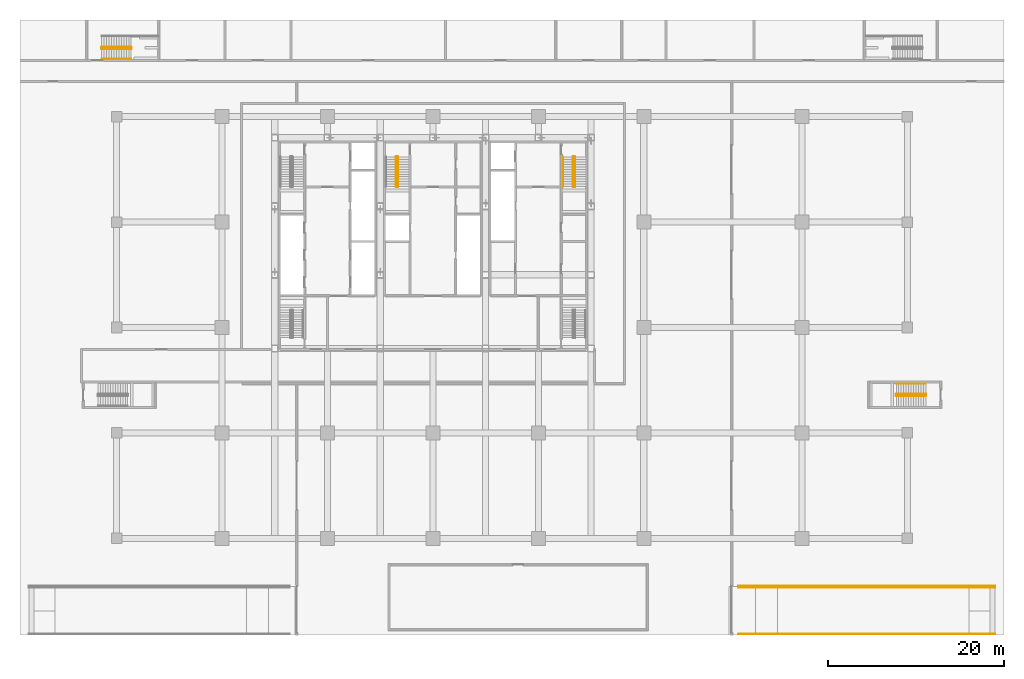
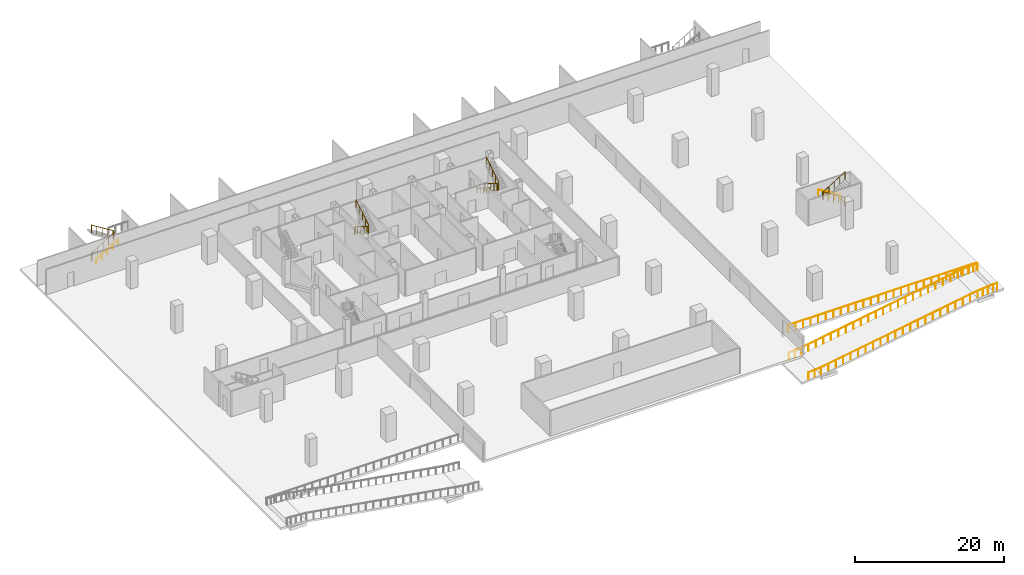
# One storey, part 14 of 15: 10 railings.
"""IFC4 building model written with IfcOpenShell, lengths in metres."""

from ifc_helpers import new_model, si_unit, direction, frame, origin, origin_2d, place, context, subcontext, project, spatial, circle, extrude, material, type_object, element, save


model = new_model("IFC4")

# Units and contexts
model_context = context("Model", 3, precision=1e-05, world=origin(), true_north=direction((0.0, 1.0)))
body_context = subcontext(model_context, "Body", "Model", "MODEL_VIEW")
ifc_project = project(units=[si_unit("LENGTHUNIT", "METRE"), si_unit("AREAUNIT", "SQUARE_METRE"), si_unit("VOLUMEUNIT", "CUBIC_METRE"), si_unit("PLANEANGLEUNIT", "RADIAN"), si_unit("MASSUNIT", "GRAM", prefix="KILO")], contexts=[model_context])

# Site, building, storey
site_placement = place(None, origin())
site = spatial("IfcSite", under=ifc_project, at=site_placement, CompositionType="ELEMENT")
building_placement = place(site_placement, origin())
building = spatial("IfcBuilding", under=site, at=building_placement, Name="Sorahane Residences", CompositionType="ELEMENT")
storey_placement = place(building_placement, frame((0.0, 0.0, -4.5)))
storey = spatial("IfcBuildingStorey", under=building, at=storey_placement, Name="B1", CompositionType="ELEMENT", Elevation=-4.5)

# Railings
ifc_material_1 = material(Name="Steel Q355B", Category="steel")
railing_type_1 = type_object("IfcRailingType", Name="Ramp opening guard 1200 Steel Q355B", PredefinedType="GUARDRAIL", material=ifc_material_1)
railing_1_placement = place(storey_placement, frame((88.0, -10.89990234375, 0.0)))
element("IfcRailing", 1, at=railing_1_placement, inside=storey, type_object=railing_type_1, Name="B1 ramp flight guard south", PredefinedType="GUARDRAIL", context=body_context, shape_type="SweptSolid", body=[
    extrude(circle(Radius=0.02392578125, at=origin_2d()), frame((0.0, 0.0, 1.17578125), z_axis=(-1.0, 0.0, 0.0), x_axis=(0.0, -1.0, 0.0)), (0.0, 0.0, 1.0), 0.60009765625),
    extrude(circle(Radius=0.02392578125, at=origin_2d()), frame((-0.60009765625, 0.0, 1.17578125), z_axis=(-0.996547156423, 0.0, -0.083028700011), x_axis=(0.0, -1.0, 0.0)), (0.0, 0.0, 1.0), 2.408203125),
    extrude(circle(Radius=0.02392578125, at=origin_2d()), frame((-3.0, 0.0, 0.97607421875), z_axis=(-0.986393655987, 0.0, -0.164400594367), x_axis=(0.0, -1.0, 0.0)), (0.0, 0.0, 1.0), 24.63525390625),
    extrude(circle(Radius=0.02392578125, at=origin_2d()), frame((-27.300048828125, 0.0, -3.07421875), z_axis=(-0.996551055188, 0.0, -0.082981892028), x_axis=(0.0, -1.0, 0.0)), (0.0, 0.0, 1.0), 1.906494140625),
    extrude(circle(Radius=0.02099609375, at=origin_2d()), origin(), (0.0, 0.0, 1.0), 1.15185546875),
    extrude(circle(Radius=0.02099609375, at=origin_2d()), frame((-0.60009765625, 0.0, 0.0)), (0.0, 0.0, 1.0), 1.15185546875),
    extrude(circle(Radius=0.02099609375, at=origin_2d()), frame((-1.400146484375, 0.0, -0.066650390625)), (0.0, 0.0, 1.0), 1.15185546875),
    extrude(circle(Radius=0.02099609375, at=origin_2d()), frame((-2.199951171875, 0.0, -0.13330078125)), (0.0, 0.0, 1.0), 1.15185546875),
    extrude(circle(Radius=0.02099609375, at=origin_2d()), frame((-3.0, 0.0, -0.199951171875)), (0.0, 0.0, 1.0), 1.15185546875),
    extrude(circle(Radius=0.02099609375, at=origin_2d()), frame((-4.1572265625, 0.0, -0.392822265625)), (0.0, 0.0, 1.0), 1.15185546875),
    extrude(circle(Radius=0.02099609375, at=origin_2d()), frame((-5.314208984375, 0.0, -0.585693359375)), (0.0, 0.0, 1.0), 1.15185546875),
    extrude(circle(Radius=0.02099609375, at=origin_2d()), frame((-6.471435546875, 0.0, -0.778564453125)), (0.0, 0.0, 1.0), 1.15185546875),
    extrude(circle(Radius=0.02099609375, at=origin_2d()), frame((-7.628662109375, 0.0, -0.971435546875)), (0.0, 0.0, 1.0), 1.15185546875),
    extrude(circle(Radius=0.02099609375, at=origin_2d()), frame((-8.78564453125, 0.0, -1.164306640625)), (0.0, 0.0, 1.0), 1.15185546875),
    extrude(circle(Radius=0.02099609375, at=origin_2d()), frame((-9.94287109375, 0.0, -1.357177734375)), (0.0, 0.0, 1.0), 1.15185546875),
    extrude(circle(Radius=0.02099609375, at=origin_2d()), frame((-11.10009765625, 0.0, -1.550048828125)), (0.0, 0.0, 1.0), 1.15185546875),
    extrude(circle(Radius=0.02099609375, at=origin_2d()), frame((-12.257080078125, 0.0, -1.742919921875)), (0.0, 0.0, 1.0), 1.15185546875),
    extrude(circle(Radius=0.02099609375, at=origin_2d()), frame((-13.414306640625, 0.0, -1.935791015625)), (0.0, 0.0, 1.0), 1.15185546875),
    extrude(circle(Radius=0.02099609375, at=origin_2d()), frame((-14.571533203125, 0.0, -2.128662109375)), (0.0, 0.0, 1.0), 1.15185546875),
    extrude(circle(Radius=0.02099609375, at=origin_2d()), frame((-15.728515625, 0.0, -2.3212890625)), (0.0, 0.0, 1.0), 1.15185546875),
    extrude(circle(Radius=0.02099609375, at=origin_2d()), frame((-16.8857421875, 0.0, -2.51416015625)), (0.0, 0.0, 1.0), 1.15185546875),
    extrude(circle(Radius=0.02099609375, at=origin_2d()), frame((-18.04296875, 0.0, -2.70703125)), (0.0, 0.0, 1.0), 1.15185546875),
    extrude(circle(Radius=0.02099609375, at=origin_2d()), frame((-19.199951171875, 0.0, -2.89990234375)), (0.0, 0.0, 1.0), 1.15185546875),
    extrude(circle(Radius=0.02099609375, at=origin_2d()), frame((-20.357177734375, 0.0, -3.0927734375)), (0.0, 0.0, 1.0), 1.15185546875),
    extrude(circle(Radius=0.02099609375, at=origin_2d()), frame((-21.514404296875, 0.0, -3.28564453125)), (0.0, 0.0, 1.0), 1.15185546875),
    extrude(circle(Radius=0.02099609375, at=origin_2d()), frame((-22.67138671875, 0.0, -3.478515625)), (0.0, 0.0, 1.0), 1.15185546875),
    extrude(circle(Radius=0.02099609375, at=origin_2d()), frame((-23.82861328125, 0.0, -3.67138671875)), (0.0, 0.0, 1.0), 1.15185546875),
    extrude(circle(Radius=0.02099609375, at=origin_2d()), frame((-24.98583984375, 0.0, -3.8642578125)), (0.0, 0.0, 1.0), 1.15185546875),
    extrude(circle(Radius=0.02099609375, at=origin_2d()), frame((-26.142822265625, 0.0, -4.05712890625)), (0.0, 0.0, 1.0), 1.15185546875),
    extrude(circle(Radius=0.02099609375, at=origin_2d()), frame((-27.300048828125, 0.0, -4.25)), (0.0, 0.0, 1.0), 1.15185546875),
    extrude(circle(Radius=0.02099609375, at=origin_2d()), frame((-28.25, 0.0, -4.3291015625)), (0.0, 0.0, 1.0), 1.15185546875),
    extrude(circle(Radius=0.02099609375, at=origin_2d()), frame((-29.199951171875, 0.0, -4.408203125)), (0.0, 0.0, 1.0), 1.15185546875),
])
railing_2_placement = place(storey_placement, frame((88.0, -5.60009765625, 0.0)))
element("IfcRailing", 2, at=railing_2_placement, inside=storey, type_object=railing_type_1, Name="B1 ramp flight guard north", PredefinedType="GUARDRAIL", context=body_context, shape_type="SweptSolid", body=[
    extrude(circle(Radius=0.02392578125, at=origin_2d()), frame((0.0, 0.0, 1.17578125), z_axis=(-1.0, 0.0, 0.0), x_axis=(0.0, -1.0, 0.0)), (0.0, 0.0, 1.0), 0.60009765625),
    extrude(circle(Radius=0.02392578125, at=origin_2d()), frame((-0.60009765625, 0.0, 1.17578125), z_axis=(-0.996547156423, 0.0, -0.083028700011), x_axis=(0.0, -1.0, 0.0)), (0.0, 0.0, 1.0), 2.408203125),
    extrude(circle(Radius=0.02392578125, at=origin_2d()), frame((-3.0, 0.0, 0.97607421875), z_axis=(-0.986393655987, 0.0, -0.164400594367), x_axis=(0.0, -1.0, 0.0)), (0.0, 0.0, 1.0), 24.63525390625),
    extrude(circle(Radius=0.02392578125, at=origin_2d()), frame((-27.300048828125, 0.0, -3.07421875), z_axis=(-0.996551055188, 0.0, -0.082981892028), x_axis=(0.0, -1.0, 0.0)), (0.0, 0.0, 1.0), 1.906494140625),
    extrude(circle(Radius=0.02099609375, at=origin_2d()), origin(), (0.0, 0.0, 1.0), 1.15185546875),
    extrude(circle(Radius=0.02099609375, at=origin_2d()), frame((-0.60009765625, 0.0, 0.0)), (0.0, 0.0, 1.0), 1.15185546875),
    extrude(circle(Radius=0.02099609375, at=origin_2d()), frame((-1.400146484375, 0.0, -0.066650390625)), (0.0, 0.0, 1.0), 1.15185546875),
    extrude(circle(Radius=0.02099609375, at=origin_2d()), frame((-2.199951171875, 0.0, -0.13330078125)), (0.0, 0.0, 1.0), 1.15185546875),
    extrude(circle(Radius=0.02099609375, at=origin_2d()), frame((-3.0, 0.0, -0.199951171875)), (0.0, 0.0, 1.0), 1.15185546875),
    extrude(circle(Radius=0.02099609375, at=origin_2d()), frame((-4.1572265625, 0.0, -0.392822265625)), (0.0, 0.0, 1.0), 1.15185546875),
    extrude(circle(Radius=0.02099609375, at=origin_2d()), frame((-5.314208984375, 0.0, -0.585693359375)), (0.0, 0.0, 1.0), 1.15185546875),
    extrude(circle(Radius=0.02099609375, at=origin_2d()), frame((-6.471435546875, 0.0, -0.778564453125)), (0.0, 0.0, 1.0), 1.15185546875),
    extrude(circle(Radius=0.02099609375, at=origin_2d()), frame((-7.628662109375, 0.0, -0.971435546875)), (0.0, 0.0, 1.0), 1.15185546875),
    extrude(circle(Radius=0.02099609375, at=origin_2d()), frame((-8.78564453125, 0.0, -1.164306640625)), (0.0, 0.0, 1.0), 1.15185546875),
    extrude(circle(Radius=0.02099609375, at=origin_2d()), frame((-9.94287109375, 0.0, -1.357177734375)), (0.0, 0.0, 1.0), 1.15185546875),
    extrude(circle(Radius=0.02099609375, at=origin_2d()), frame((-11.10009765625, 0.0, -1.550048828125)), (0.0, 0.0, 1.0), 1.15185546875),
    extrude(circle(Radius=0.02099609375, at=origin_2d()), frame((-12.257080078125, 0.0, -1.742919921875)), (0.0, 0.0, 1.0), 1.15185546875),
    extrude(circle(Radius=0.02099609375, at=origin_2d()), frame((-13.414306640625, 0.0, -1.935791015625)), (0.0, 0.0, 1.0), 1.15185546875),
    extrude(circle(Radius=0.02099609375, at=origin_2d()), frame((-14.571533203125, 0.0, -2.128662109375)), (0.0, 0.0, 1.0), 1.15185546875),
    extrude(circle(Radius=0.02099609375, at=origin_2d()), frame((-15.728515625, 0.0, -2.3212890625)), (0.0, 0.0, 1.0), 1.15185546875),
    extrude(circle(Radius=0.02099609375, at=origin_2d()), frame((-16.8857421875, 0.0, -2.51416015625)), (0.0, 0.0, 1.0), 1.15185546875),
    extrude(circle(Radius=0.02099609375, at=origin_2d()), frame((-18.04296875, 0.0, -2.70703125)), (0.0, 0.0, 1.0), 1.15185546875),
    extrude(circle(Radius=0.02099609375, at=origin_2d()), frame((-19.199951171875, 0.0, -2.89990234375)), (0.0, 0.0, 1.0), 1.15185546875),
    extrude(circle(Radius=0.02099609375, at=origin_2d()), frame((-20.357177734375, 0.0, -3.0927734375)), (0.0, 0.0, 1.0), 1.15185546875),
    extrude(circle(Radius=0.02099609375, at=origin_2d()), frame((-21.514404296875, 0.0, -3.28564453125)), (0.0, 0.0, 1.0), 1.15185546875),
    extrude(circle(Radius=0.02099609375, at=origin_2d()), frame((-22.67138671875, 0.0, -3.478515625)), (0.0, 0.0, 1.0), 1.15185546875),
    extrude(circle(Radius=0.02099609375, at=origin_2d()), frame((-23.82861328125, 0.0, -3.67138671875)), (0.0, 0.0, 1.0), 1.15185546875),
    extrude(circle(Radius=0.02099609375, at=origin_2d()), frame((-24.98583984375, 0.0, -3.8642578125)), (0.0, 0.0, 1.0), 1.15185546875),
    extrude(circle(Radius=0.02099609375, at=origin_2d()), frame((-26.142822265625, 0.0, -4.05712890625)), (0.0, 0.0, 1.0), 1.15185546875),
    extrude(circle(Radius=0.02099609375, at=origin_2d()), frame((-27.300048828125, 0.0, -4.25)), (0.0, 0.0, 1.0), 1.15185546875),
    extrude(circle(Radius=0.02099609375, at=origin_2d()), frame((-28.25, 0.0, -4.3291015625)), (0.0, 0.0, 1.0), 1.15185546875),
    extrude(circle(Radius=0.02099609375, at=origin_2d()), frame((-29.199951171875, 0.0, -4.408203125)), (0.0, 0.0, 1.0), 1.15185546875),
])
railing_3_placement = place(storey_placement, frame((58.800048828125, -5.39990234375, 0.0)))
element("IfcRailing", 3, at=railing_3_placement, inside=storey, type_object=railing_type_1, Name="B1 ramp opening guard", PredefinedType="GUARDRAIL", context=body_context, shape_type="SweptSolid", body=[
    extrude(circle(Radius=0.02392578125, at=origin_2d()), frame((0.0, 0.0, 1.17578125), z_axis=(1.0, 0.0, 0.0), x_axis=(0.0, 1.0, 0.0)), (0.0, 0.0, 1.0), 29.199951171875),
    extrude(circle(Radius=0.02099609375, at=origin_2d()), origin(), (0.0, 0.0, 1.0), 1.15185546875),
    extrude(circle(Radius=0.02099609375, at=origin_2d()), frame((1.16796875, 0.0, 0.0)), (0.0, 0.0, 1.0), 1.15185546875),
    extrude(circle(Radius=0.02099609375, at=origin_2d()), frame((2.3359375, 0.0, 0.0)), (0.0, 0.0, 1.0), 1.15185546875),
    extrude(circle(Radius=0.02099609375, at=origin_2d()), frame((3.50390625, 0.0, 0.0)), (0.0, 0.0, 1.0), 1.15185546875),
    extrude(circle(Radius=0.02099609375, at=origin_2d()), frame((4.671875, 0.0, 0.0)), (0.0, 0.0, 1.0), 1.15185546875),
    extrude(circle(Radius=0.02099609375, at=origin_2d()), frame((5.840087890625, 0.0, 0.0)), (0.0, 0.0, 1.0), 1.15185546875),
    extrude(circle(Radius=0.02099609375, at=origin_2d()), frame((7.008056640625, 0.0, 0.0)), (0.0, 0.0, 1.0), 1.15185546875),
    extrude(circle(Radius=0.02099609375, at=origin_2d()), frame((8.176025390625, 0.0, 0.0)), (0.0, 0.0, 1.0), 1.15185546875),
    extrude(circle(Radius=0.02099609375, at=origin_2d()), frame((9.343994140625, 0.0, 0.0)), (0.0, 0.0, 1.0), 1.15185546875),
    extrude(circle(Radius=0.02099609375, at=origin_2d()), frame((10.511962890625, 0.0, 0.0)), (0.0, 0.0, 1.0), 1.15185546875),
    extrude(circle(Radius=0.02099609375, at=origin_2d()), frame((11.679931640625, 0.0, 0.0)), (0.0, 0.0, 1.0), 1.15185546875),
    extrude(circle(Radius=0.02099609375, at=origin_2d()), frame((12.847900390625, 0.0, 0.0)), (0.0, 0.0, 1.0), 1.15185546875),
    extrude(circle(Radius=0.02099609375, at=origin_2d()), frame((14.015869140625, 0.0, 0.0)), (0.0, 0.0, 1.0), 1.15185546875),
    extrude(circle(Radius=0.02099609375, at=origin_2d()), frame((15.18408203125, 0.0, 0.0)), (0.0, 0.0, 1.0), 1.15185546875),
    extrude(circle(Radius=0.02099609375, at=origin_2d()), frame((16.35205078125, 0.0, 0.0)), (0.0, 0.0, 1.0), 1.15185546875),
    extrude(circle(Radius=0.02099609375, at=origin_2d()), frame((17.52001953125, 0.0, 0.0)), (0.0, 0.0, 1.0), 1.15185546875),
    extrude(circle(Radius=0.02099609375, at=origin_2d()), frame((18.68798828125, 0.0, 0.0)), (0.0, 0.0, 1.0), 1.15185546875),
    extrude(circle(Radius=0.02099609375, at=origin_2d()), frame((19.85595703125, 0.0, 0.0)), (0.0, 0.0, 1.0), 1.15185546875),
    extrude(circle(Radius=0.02099609375, at=origin_2d()), frame((21.02392578125, 0.0, 0.0)), (0.0, 0.0, 1.0), 1.15185546875),
    extrude(circle(Radius=0.02099609375, at=origin_2d()), frame((22.19189453125, 0.0, 0.0)), (0.0, 0.0, 1.0), 1.15185546875),
    extrude(circle(Radius=0.02099609375, at=origin_2d()), frame((23.35986328125, 0.0, 0.0)), (0.0, 0.0, 1.0), 1.15185546875),
    extrude(circle(Radius=0.02099609375, at=origin_2d()), frame((24.528076171875, 0.0, 0.0)), (0.0, 0.0, 1.0), 1.15185546875),
    extrude(circle(Radius=0.02099609375, at=origin_2d()), frame((25.696044921875, 0.0, 0.0)), (0.0, 0.0, 1.0), 1.15185546875),
    extrude(circle(Radius=0.02099609375, at=origin_2d()), frame((26.864013671875, 0.0, 0.0)), (0.0, 0.0, 1.0), 1.15185546875),
    extrude(circle(Radius=0.02099609375, at=origin_2d()), frame((28.031982421875, 0.0, 0.0)), (0.0, 0.0, 1.0), 1.15185546875),
    extrude(circle(Radius=0.02099609375, at=origin_2d()), frame((29.199951171875, 0.0, 0.0)), (0.0, 0.0, 1.0), 1.15185546875),
])
ifc_material_2 = material(Name="Steel Q355B", Category="steel")
railing_type_2 = type_object("IfcRailingType", Name="Stair guard 1200 Steel Q355B", PredefinedType="GUARDRAIL", material=ifc_material_2)
railing_4_placement = place(storey_placement, frame((40.14990234375, 43.449951171875, 0.0)))
element("IfcRailing", 4, at=railing_4_placement, inside=storey, type_object=railing_type_2, Name="B1 S2 stair guard 1", PredefinedType="GUARDRAIL", context=body_context, shape_type="SweptSolid", body=[
    extrude(circle(Radius=0.02392578125, at=origin_2d()), frame((0.0, 0.0, 1.17578125), z_axis=(-1.0, 0.0, 0.0), x_axis=(0.0, -1.0, 0.0)), (0.0, 0.0, 1.0), 0.14990234375),
    extrude(circle(Radius=0.02392578125, at=origin_2d()), frame((-0.14990234375, 0.0, 1.17578125), z_axis=(-0.267629722418, -0.267629722418, 0.925607186314), x_axis=(0.707106781187, -0.707106781187, 0.0)), (0.0, 0.0, 1.0), 0.18701171875),
    extrude(circle(Radius=0.02392578125, at=origin_2d()), frame((-0.199951171875, -0.050048828125, 1.34912109375), z_axis=(0.0, -0.850606129759, 0.525803396734), x_axis=(1.0, 0.0, 0.0)), (0.0, 0.0, 1.0), 3.949951171875),
    extrude(circle(Radius=0.02392578125, at=origin_2d()), frame((-0.199951171875, -3.409912109375, 3.42578125), z_axis=(0.707106781187, -0.707106781187, 0.0), x_axis=(0.707106781187, 0.707106781187, 0.0)), (0.0, 0.0, 1.0), 0.07080078125),
    extrude(circle(Radius=0.02392578125, at=origin_2d()), frame((-0.14990234375, -3.4599609375, 3.42578125), z_axis=(1.0, 0.0, 0.0), x_axis=(0.0, 1.0, 0.0)), (0.0, 0.0, 1.0), 0.14990234375),
    extrude(circle(Radius=0.02392578125, at=origin_2d()), frame((0.0, -3.4599609375, 3.42578125), z_axis=(0.267629722418, 0.267629722418, 0.925607186314), x_axis=(-0.707106781187, 0.707106781187, 0.0)), (0.0, 0.0, 1.0), 0.18701171875),
    extrude(circle(Radius=0.02392578125, at=origin_2d()), frame((0.050048828125, -3.409912109375, 3.59912109375), z_axis=(0.0, 0.850606129759, 0.525803396734), x_axis=(-1.0, 0.0, 0.0)), (0.0, 0.0, 1.0), 3.949951171875),
    extrude(circle(Radius=0.02099609375, at=origin_2d()), origin(), (0.0, 0.0, 1.0), 1.15185546875),
    extrude(circle(Radius=0.02099609375, at=origin_2d()), frame((-0.14990234375, 0.0, 0.0)), (0.0, 0.0, 1.0), 1.15185546875),
    extrude(circle(Radius=0.02099609375, at=origin_2d()), frame((-0.199951171875, -0.050048828125, 0.173095703125)), (0.0, 0.0, 1.0), 1.15185546875),
    extrude(circle(Radius=0.02099609375, at=origin_2d()), frame((-0.199951171875, -0.89013671875, 0.6923828125)), (0.0, 0.0, 1.0), 1.15185546875),
    extrude(circle(Radius=0.02099609375, at=origin_2d()), frame((-0.199951171875, -1.72998046875, 1.21142578125)), (0.0, 0.0, 1.0), 1.15185546875),
    extrude(circle(Radius=0.02099609375, at=origin_2d()), frame((-0.199951171875, -2.56982421875, 1.730712890625)), (0.0, 0.0, 1.0), 1.15185546875),
    extrude(circle(Radius=0.02099609375, at=origin_2d()), frame((-0.199951171875, -3.409912109375, 2.25)), (0.0, 0.0, 1.0), 1.15185546875),
    extrude(circle(Radius=0.02099609375, at=origin_2d()), frame((-0.14990234375, -3.4599609375, 2.25)), (0.0, 0.0, 1.0), 1.15185546875),
    extrude(circle(Radius=0.02099609375, at=origin_2d()), frame((0.0, -3.4599609375, 2.25)), (0.0, 0.0, 1.0), 1.15185546875),
    extrude(circle(Radius=0.02099609375, at=origin_2d()), frame((0.050048828125, -3.409912109375, 2.423095703125)), (0.0, 0.0, 1.0), 1.15185546875),
    extrude(circle(Radius=0.02099609375, at=origin_2d()), frame((0.050048828125, -2.56982421875, 2.9423828125)), (0.0, 0.0, 1.0), 1.15185546875),
    extrude(circle(Radius=0.02099609375, at=origin_2d()), frame((0.050048828125, -1.72998046875, 3.46142578125)), (0.0, 0.0, 1.0), 1.15185546875),
    extrude(circle(Radius=0.02099609375, at=origin_2d()), frame((0.050048828125, -0.89013671875, 3.980712890625)), (0.0, 0.0, 1.0), 1.15185546875),
    extrude(circle(Radius=0.02099609375, at=origin_2d()), frame((0.050048828125, -0.050048828125, 4.5)), (0.0, 0.0, 1.0), 1.15185546875),
])
railing_5_placement = place(storey_placement, frame((20.0, 43.449951171875, 0.0)))
element("IfcRailing", 5, at=railing_5_placement, inside=storey, type_object=railing_type_2, Name="B1 S3 stair guard 1", PredefinedType="GUARDRAIL", context=body_context, shape_type="SweptSolid", body=[
    extrude(circle(Radius=0.02392578125, at=origin_2d()), frame((0.0, 0.0, 1.17578125), z_axis=(-1.0, 0.0, 0.0), x_axis=(0.0, -1.0, 0.0)), (0.0, 0.0, 1.0), 0.14990234375),
    extrude(circle(Radius=0.02392578125, at=origin_2d()), frame((-0.14990234375, 0.0, 1.17578125), z_axis=(-0.267629722418, -0.267629722418, 0.925607186314), x_axis=(0.707106781187, -0.707106781187, 0.0)), (0.0, 0.0, 1.0), 0.18701171875),
    extrude(circle(Radius=0.02392578125, at=origin_2d()), frame((-0.199951171875, -0.050048828125, 1.34912109375), z_axis=(0.0, -0.850606129759, 0.525803396734), x_axis=(1.0, 0.0, 0.0)), (0.0, 0.0, 1.0), 3.949951171875),
    extrude(circle(Radius=0.02392578125, at=origin_2d()), frame((-0.199951171875, -3.409912109375, 3.42578125), z_axis=(0.707106781187, -0.707106781187, 0.0), x_axis=(0.707106781187, 0.707106781187, 0.0)), (0.0, 0.0, 1.0), 0.07080078125),
    extrude(circle(Radius=0.02392578125, at=origin_2d()), frame((-0.14990234375, -3.4599609375, 3.42578125), z_axis=(1.0, 0.0, 0.0), x_axis=(0.0, 1.0, 0.0)), (0.0, 0.0, 1.0), 0.14990234375),
    extrude(circle(Radius=0.02392578125, at=origin_2d()), frame((0.0, -3.4599609375, 3.42578125), z_axis=(0.267629722418, 0.267629722418, 0.925607186314), x_axis=(-0.707106781187, 0.707106781187, 0.0)), (0.0, 0.0, 1.0), 0.18701171875),
    extrude(circle(Radius=0.02392578125, at=origin_2d()), frame((0.050048828125, -3.409912109375, 3.59912109375), z_axis=(0.0, 0.850606129759, 0.525803396734), x_axis=(-1.0, 0.0, 0.0)), (0.0, 0.0, 1.0), 3.949951171875),
    extrude(circle(Radius=0.02099609375, at=origin_2d()), origin(), (0.0, 0.0, 1.0), 1.15185546875),
    extrude(circle(Radius=0.02099609375, at=origin_2d()), frame((-0.14990234375, 0.0, 0.0)), (0.0, 0.0, 1.0), 1.15185546875),
    extrude(circle(Radius=0.02099609375, at=origin_2d()), frame((-0.199951171875, -0.050048828125, 0.173095703125)), (0.0, 0.0, 1.0), 1.15185546875),
    extrude(circle(Radius=0.02099609375, at=origin_2d()), frame((-0.199951171875, -0.89013671875, 0.6923828125)), (0.0, 0.0, 1.0), 1.15185546875),
    extrude(circle(Radius=0.02099609375, at=origin_2d()), frame((-0.199951171875, -1.72998046875, 1.21142578125)), (0.0, 0.0, 1.0), 1.15185546875),
    extrude(circle(Radius=0.02099609375, at=origin_2d()), frame((-0.199951171875, -2.56982421875, 1.730712890625)), (0.0, 0.0, 1.0), 1.15185546875),
    extrude(circle(Radius=0.02099609375, at=origin_2d()), frame((-0.199951171875, -3.409912109375, 2.25)), (0.0, 0.0, 1.0), 1.15185546875),
    extrude(circle(Radius=0.02099609375, at=origin_2d()), frame((-0.14990234375, -3.4599609375, 2.25)), (0.0, 0.0, 1.0), 1.15185546875),
    extrude(circle(Radius=0.02099609375, at=origin_2d()), frame((0.0, -3.4599609375, 2.25)), (0.0, 0.0, 1.0), 1.15185546875),
    extrude(circle(Radius=0.02099609375, at=origin_2d()), frame((0.050048828125, -3.409912109375, 2.423095703125)), (0.0, 0.0, 1.0), 1.15185546875),
    extrude(circle(Radius=0.02099609375, at=origin_2d()), frame((0.050048828125, -2.56982421875, 2.9423828125)), (0.0, 0.0, 1.0), 1.15185546875),
    extrude(circle(Radius=0.02099609375, at=origin_2d()), frame((0.050048828125, -1.72998046875, 3.46142578125)), (0.0, 0.0, 1.0), 1.15185546875),
    extrude(circle(Radius=0.02099609375, at=origin_2d()), frame((0.050048828125, -0.89013671875, 3.980712890625)), (0.0, 0.0, 1.0), 1.15185546875),
    extrude(circle(Radius=0.02099609375, at=origin_2d()), frame((0.050048828125, -0.050048828125, 4.5)), (0.0, 0.0, 1.0), 1.15185546875),
])
railing_6_placement = place(storey_placement, frame((-13.75, 55.89990234375, 0.0)))
element("IfcRailing", 6, at=railing_6_placement, inside=storey, type_object=railing_type_2, Name="B1 BS1 stair guard 1", PredefinedType="GUARDRAIL", context=body_context, shape_type="SweptSolid", body=[
    extrude(circle(Radius=0.02392578125, at=origin_2d()), frame((0.0, 0.0, 1.23583984375), z_axis=(0.0, -1.0, 0.0), x_axis=(1.0, 0.0, 0.0)), (0.0, 0.0, 1.0), 0.14990234375),
    extrude(circle(Radius=0.02392578125, at=origin_2d()), frame((0.0, -0.14990234375, 1.23583984375), z_axis=(0.267629722418, -0.267629722418, 0.925607186314), x_axis=(0.707106781187, 0.707106781187, 0.0)), (0.0, 0.0, 1.0), 0.18701171875),
    extrude(circle(Radius=0.02392578125, at=origin_2d()), frame((0.050048828125, -0.199951171875, 1.4091796875), z_axis=(0.850606129759, 0.0, 0.525803396734), x_axis=(0.0, 1.0, 0.0)), (0.0, 0.0, 1.0), 3.949951171875),
    extrude(circle(Radius=0.02392578125, at=origin_2d()), frame((3.409912109375, -0.199951171875, 3.48583984375), z_axis=(0.707106781187, 0.707106781187, 0.0), x_axis=(-0.707106781187, 0.707106781187, 0.0)), (0.0, 0.0, 1.0), 0.07080078125),
    extrude(circle(Radius=0.02392578125, at=origin_2d()), frame((3.4599609375, -0.14990234375, 3.48583984375), z_axis=(0.0, 1.0, 0.0), x_axis=(-1.0, 0.0, 0.0)), (0.0, 0.0, 1.0), 0.14990234375),
    extrude(circle(Radius=0.02392578125, at=origin_2d()), frame((3.4599609375, 0.0, 3.48583984375), z_axis=(-0.267629722418, 0.267629722418, 0.925607186314), x_axis=(-0.707106781187, -0.707106781187, 0.0)), (0.0, 0.0, 1.0), 0.18701171875),
    extrude(circle(Radius=0.02392578125, at=origin_2d()), frame((3.409912109375, 0.050048828125, 3.6591796875), z_axis=(-0.850606129759, 0.0, 0.525803396734), x_axis=(0.0, -1.0, 0.0)), (0.0, 0.0, 1.0), 3.949951171875),
    extrude(circle(Radius=0.02099609375, at=origin_2d()), origin(), (0.0, 0.0, 1.0), 1.2119140625),
    extrude(circle(Radius=0.02099609375, at=origin_2d()), frame((0.0, -0.14990234375, 0.0)), (0.0, 0.0, 1.0), 1.2119140625),
    extrude(circle(Radius=0.02099609375, at=origin_2d()), frame((0.050048828125, -0.199951171875, 0.173095703125)), (0.0, 0.0, 1.0), 1.2119140625),
    extrude(circle(Radius=0.02099609375, at=origin_2d()), frame((0.89013671875, -0.199951171875, 0.6923828125)), (0.0, 0.0, 1.0), 1.2119140625),
    extrude(circle(Radius=0.02099609375, at=origin_2d()), frame((1.72998046875, -0.199951171875, 1.21142578125)), (0.0, 0.0, 1.0), 1.2119140625),
    extrude(circle(Radius=0.02099609375, at=origin_2d()), frame((2.56982421875, -0.199951171875, 1.730712890625)), (0.0, 0.0, 1.0), 1.2119140625),
    extrude(circle(Radius=0.02099609375, at=origin_2d()), frame((3.409912109375, -0.199951171875, 2.25)), (0.0, 0.0, 1.0), 1.2119140625),
    extrude(circle(Radius=0.02099609375, at=origin_2d()), frame((3.4599609375, -0.14990234375, 2.25)), (0.0, 0.0, 1.0), 1.2119140625),
    extrude(circle(Radius=0.02099609375, at=origin_2d()), frame((3.4599609375, 0.0, 2.25)), (0.0, 0.0, 1.0), 1.2119140625),
    extrude(circle(Radius=0.02099609375, at=origin_2d()), frame((3.409912109375, 0.050048828125, 2.423095703125)), (0.0, 0.0, 1.0), 1.2119140625),
    extrude(circle(Radius=0.02099609375, at=origin_2d()), frame((2.56982421875, 0.050048828125, 2.9423828125)), (0.0, 0.0, 1.0), 1.2119140625),
    extrude(circle(Radius=0.02099609375, at=origin_2d()), frame((1.72998046875, 0.050048828125, 3.46142578125)), (0.0, 0.0, 1.0), 1.2119140625),
    extrude(circle(Radius=0.02099609375, at=origin_2d()), frame((0.89013671875, 0.050048828125, 3.980712890625)), (0.0, 0.0, 1.0), 1.2119140625),
    extrude(circle(Radius=0.02099609375, at=origin_2d()), frame((0.050048828125, 0.050048828125, 4.5)), (0.0, 0.0, 1.0), 1.2119140625),
])
railing_7_placement = place(storey_placement, frame((80.14990234375, 16.25, 0.0)))
element("IfcRailing", 7, at=railing_7_placement, inside=storey, type_object=railing_type_2, Name="B1 BS4 stair guard 1", PredefinedType="GUARDRAIL", context=body_context, shape_type="SweptSolid", body=[
    extrude(circle(Radius=0.02392578125, at=origin_2d()), frame((0.0, 0.0, 1.23583984375), z_axis=(0.0, 1.0, 0.0), x_axis=(-1.0, 0.0, 0.0)), (0.0, 0.0, 1.0), 0.14990234375),
    extrude(circle(Radius=0.02392578125, at=origin_2d()), frame((0.0, 0.14990234375, 1.23583984375), z_axis=(-0.266417085129, 0.267723051232, 0.925929967433), x_axis=(-0.708833529934, -0.705375805398, 0.0)), (0.0, 0.0, 1.0), 0.18701171875),
    extrude(circle(Radius=0.02392578125, at=origin_2d()), frame((-0.0498046875, 0.199951171875, 1.4091796875), z_axis=(-0.850623216509, 0.0, 0.525775754039), x_axis=(0.0, -1.0, 0.0)), (0.0, 0.0, 1.0), 3.9501953125),
    extrude(circle(Radius=0.02392578125, at=origin_2d()), frame((-3.409912109375, 0.199951171875, 3.48583984375), z_axis=(-0.707106781187, -0.707106781187, 0.0), x_axis=(0.707106781187, -0.707106781187, 0.0)), (0.0, 0.0, 1.0), 0.07080078125),
    extrude(circle(Radius=0.02392578125, at=origin_2d()), frame((-3.4599609375, 0.14990234375, 3.48583984375), z_axis=(0.0, -1.0, 0.0), x_axis=(1.0, 0.0, 0.0)), (0.0, 0.0, 1.0), 0.14990234375),
    extrude(circle(Radius=0.02392578125, at=origin_2d()), frame((-3.4599609375, 0.0, 3.48583984375), z_axis=(0.267629722418, -0.267629722418, 0.925607186314), x_axis=(0.707106781187, 0.707106781187, 0.0)), (0.0, 0.0, 1.0), 0.18701171875),
    extrude(circle(Radius=0.02392578125, at=origin_2d()), frame((-3.409912109375, -0.050048828125, 3.6591796875), z_axis=(0.850623216509, 0.0, 0.525775754039), x_axis=(0.0, 1.0, 0.0)), (0.0, 0.0, 1.0), 3.9501953125),
    extrude(circle(Radius=0.02099609375, at=origin_2d()), origin(), (0.0, 0.0, 1.0), 1.2119140625),
    extrude(circle(Radius=0.02099609375, at=origin_2d()), frame((0.0, 0.14990234375, 0.0)), (0.0, 0.0, 1.0), 1.2119140625),
    extrude(circle(Radius=0.02099609375, at=origin_2d()), frame((-0.0498046875, 0.199951171875, 0.173095703125)), (0.0, 0.0, 1.0), 1.2119140625),
    extrude(circle(Radius=0.02099609375, at=origin_2d()), frame((-0.889892578125, 0.199951171875, 0.6923828125)), (0.0, 0.0, 1.0), 1.2119140625),
    extrude(circle(Radius=0.02099609375, at=origin_2d()), frame((-1.72998046875, 0.199951171875, 1.21142578125)), (0.0, 0.0, 1.0), 1.2119140625),
    extrude(circle(Radius=0.02099609375, at=origin_2d()), frame((-2.56982421875, 0.199951171875, 1.730712890625)), (0.0, 0.0, 1.0), 1.2119140625),
    extrude(circle(Radius=0.02099609375, at=origin_2d()), frame((-3.409912109375, 0.199951171875, 2.25)), (0.0, 0.0, 1.0), 1.2119140625),
    extrude(circle(Radius=0.02099609375, at=origin_2d()), frame((-3.4599609375, 0.14990234375, 2.25)), (0.0, 0.0, 1.0), 1.2119140625),
    extrude(circle(Radius=0.02099609375, at=origin_2d()), frame((-3.4599609375, 0.0, 2.25)), (0.0, 0.0, 1.0), 1.2119140625),
    extrude(circle(Radius=0.02099609375, at=origin_2d()), frame((-3.409912109375, -0.050048828125, 2.423095703125)), (0.0, 0.0, 1.0), 1.2119140625),
    extrude(circle(Radius=0.02099609375, at=origin_2d()), frame((-2.56982421875, -0.050048828125, 2.9423828125)), (0.0, 0.0, 1.0), 1.2119140625),
    extrude(circle(Radius=0.02099609375, at=origin_2d()), frame((-1.72998046875, -0.050048828125, 3.46142578125)), (0.0, 0.0, 1.0), 1.2119140625),
    extrude(circle(Radius=0.02099609375, at=origin_2d()), frame((-0.889892578125, -0.050048828125, 3.980712890625)), (0.0, 0.0, 1.0), 1.2119140625),
    extrude(circle(Radius=0.02099609375, at=origin_2d()), frame((-0.0498046875, -0.050048828125, 4.5)), (0.0, 0.0, 1.0), 1.2119140625),
])
ifc_material_3 = material(Name="Steel Q355B", Category="steel")
railing_type_3 = type_object("IfcRailingType", Name="Stair handrail 900 Steel Q355B", PredefinedType="HANDRAIL", material=ifc_material_3)
railing_8_placement = place(storey_placement, frame((38.800048828125, 43.39990234375, 0.173095703125)))
element("IfcRailing", 8, at=railing_8_placement, inside=storey, type_object=railing_type_3, Name="B1 S2 stair handrail 1", PredefinedType="HANDRAIL", context=body_context, shape_type="SweptSolid", body=[
    extrude(circle(Radius=0.02392578125, at=origin_2d()), frame((0.0, 0.0, 0.8759765625), z_axis=(0.0, -0.850606129759, 0.525803396734), x_axis=(1.0, 0.0, 0.0)), (0.0, 0.0, 1.0), 3.949951171875),
    extrude(circle(Radius=0.02099609375, at=origin_2d()), origin(), (0.0, 0.0, 1.0), 0.851806640625),
    extrude(circle(Radius=0.02099609375, at=origin_2d()), frame((0.0, -0.83984375, 0.519287109375)), (0.0, 0.0, 1.0), 0.851806640625),
    extrude(circle(Radius=0.02099609375, at=origin_2d()), frame((0.0, -1.679931640625, 1.03857421875)), (0.0, 0.0, 1.0), 0.851806640625),
    extrude(circle(Radius=0.02099609375, at=origin_2d()), frame((0.0, -2.52001953125, 1.5576171875)), (0.0, 0.0, 1.0), 0.851806640625),
    extrude(circle(Radius=0.02099609375, at=origin_2d()), frame((0.0, -3.35986328125, 2.076904296875)), (0.0, 0.0, 1.0), 0.851806640625),
])
railing_9_placement = place(storey_placement, frame((-13.699951171875, 54.550048828125, 0.173095703125)))
element("IfcRailing", 9, at=railing_9_placement, inside=storey, type_object=railing_type_3, Name="B1 BS1 stair handrail 1", PredefinedType="HANDRAIL", context=body_context, shape_type="SweptSolid", body=[
    extrude(circle(Radius=0.02392578125, at=origin_2d()), frame((0.0, 0.0, 0.8759765625), z_axis=(0.850606129759, 0.0, 0.525803396734), x_axis=(0.0, 1.0, 0.0)), (0.0, 0.0, 1.0), 3.949951171875),
    extrude(circle(Radius=0.02099609375, at=origin_2d()), origin(), (0.0, 0.0, 1.0), 0.851806640625),
    extrude(circle(Radius=0.02099609375, at=origin_2d()), frame((0.83984375, 0.0, 0.519287109375)), (0.0, 0.0, 1.0), 0.851806640625),
    extrude(circle(Radius=0.02099609375, at=origin_2d()), frame((1.679931640625, 0.0, 1.03857421875)), (0.0, 0.0, 1.0), 0.851806640625),
    extrude(circle(Radius=0.02099609375, at=origin_2d()), frame((2.52001953125, 0.0, 1.5576171875)), (0.0, 0.0, 1.0), 0.851806640625),
    extrude(circle(Radius=0.02099609375, at=origin_2d()), frame((3.35986328125, 0.0, 2.076904296875)), (0.0, 0.0, 1.0), 0.851806640625),
])
railing_10_placement = place(storey_placement, frame((80.10009765625, 17.60009765625, 0.173095703125)))
element("IfcRailing", 10, at=railing_10_placement, inside=storey, type_object=railing_type_3, Name="B1 BS4 stair handrail 1", PredefinedType="HANDRAIL", context=body_context, shape_type="SweptSolid", body=[
    extrude(circle(Radius=0.02392578125, at=origin_2d()), frame((0.0, 0.0, 0.8759765625), z_axis=(-0.850623216509, 0.0, 0.525775754039), x_axis=(0.0, -1.0, 0.0)), (0.0, 0.0, 1.0), 3.9501953125),
    extrude(circle(Radius=0.02099609375, at=origin_2d()), origin(), (0.0, 0.0, 1.0), 0.851806640625),
    extrude(circle(Radius=0.02099609375, at=origin_2d()), frame((-0.840087890625, 0.0, 0.519287109375)), (0.0, 0.0, 1.0), 0.851806640625),
    extrude(circle(Radius=0.02099609375, at=origin_2d()), frame((-1.68017578125, 0.0, 1.03857421875)), (0.0, 0.0, 1.0), 0.851806640625),
    extrude(circle(Radius=0.02099609375, at=origin_2d()), frame((-2.52001953125, 0.0, 1.5576171875)), (0.0, 0.0, 1.0), 0.851806640625),
    extrude(circle(Radius=0.02099609375, at=origin_2d()), frame((-3.360107421875, 0.0, 2.076904296875)), (0.0, 0.0, 1.0), 0.851806640625),
])

save(model, "model.ifc")
